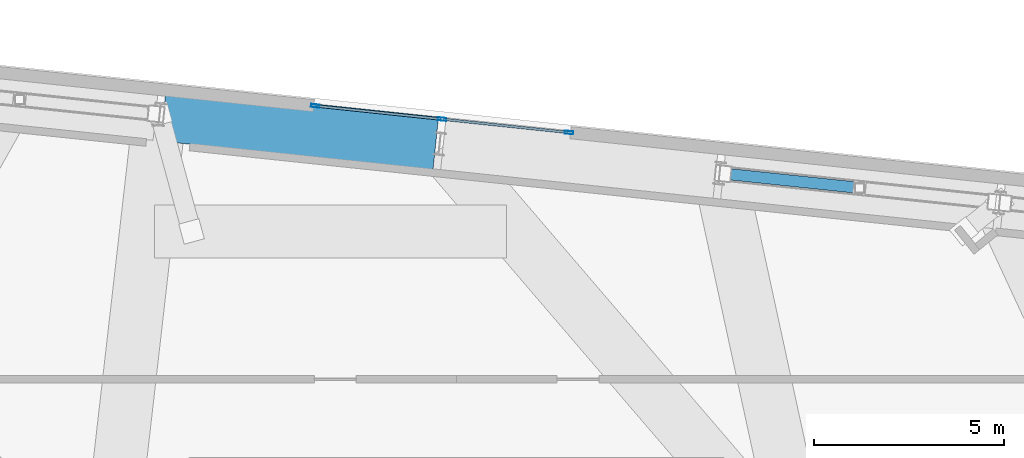
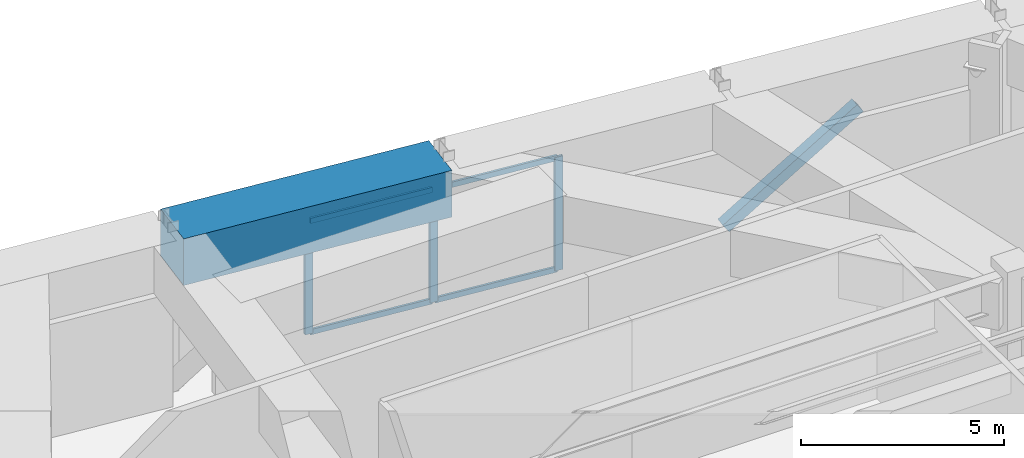
# One storey, part 12 of 21: 8 members, 1 beam, 1 element without a shape of its own.
"""IFC4 building model written with IfcOpenShell, lengths in metres."""

import ifcopenshell
import ifcopenshell.guid

model = None  # the IFC model being written
_history = None  # IfcOwnerHistory: only IFC2X3 demands one
_inside = {}  # id of a spatial element -> (the spatial element, [elements in it])
_under = {}  # id of a project, library or spatial element -> (it, [spatial elements below it])
_declared = {}  # id of a project -> (the project, [libraries it declares])
_typed = {}  # id of a type object -> (the type object, [elements of that type])
_made_of = {}  # id of a material, layer set ... -> (it, [elements and type objects made of it])


def new_model(schema):
    """Start an empty IFC model of exactly this schema.

    Asked for "IFC4X3", IfcOpenShell would pick the latest addendum, in which some entities
    have other attributes; the version numbers below select the first issue.
    IFC2X3 requires an IfcOwnerHistory on every rooted entity: one is made here for all.
    """
    global model, _history
    if schema == "IFC4X3":
        model = ifcopenshell.file(schema_version=(4, 3, 0, 0))
    else:
        model = ifcopenshell.file(schema=schema)
    _inside.clear()
    _under.clear()
    _declared.clear()
    _typed.clear()
    _made_of.clear()
    _history = None
    if model.schema == "IFC2X3":
        org = make("IfcOrganization", Name="unknown")
        user = make(
            "IfcPersonAndOrganization",
            ThePerson=make("IfcPerson", FamilyName="unknown"),
            TheOrganization=org,
        )
        app = make(
            "IfcApplication",
            ApplicationDeveloper=org,
            Version="unknown",
            ApplicationFullName="unknown",
            ApplicationIdentifier="unknown",
        )
        _history = make(
            "IfcOwnerHistory",
            OwningUser=user,
            OwningApplication=app,
            ChangeAction="ADDED",
            CreationDate=0,
        )
    return model


def make(cls, **values):
    """One entity of the class cls with the attributes given. An attribute that is None is left unset."""
    return model.create_entity(
        cls, **{name: value for name, value in values.items() if value is not None}
    )


def rooted(cls, **values):
    """An entity with a GlobalId (a new one), such as an element, a storey or a relation."""
    return make(cls, GlobalId=ifcopenshell.guid.new(), OwnerHistory=_history, **values)


def si_unit(unit_type, name, prefix=None):
    """IfcSIUnit, for example si_unit("LENGTHUNIT", "METRE", prefix="MILLI")."""
    return make("IfcSIUnit", UnitType=unit_type, Prefix=prefix, Name=name)


def assignment(units):
    """IfcUnitAssignment: the units of a project."""
    return None if units is None else make("IfcUnitAssignment", Units=units)


def point(xyz):
    """IfcCartesianPoint."""
    return None if xyz is None else make("IfcCartesianPoint", Coordinates=xyz)


def direction(xyz):
    """IfcDirection."""
    return None if xyz is None else make("IfcDirection", DirectionRatios=xyz)


def frame(location, z_axis=None, x_axis=None):
    """IfcAxis2Placement3D, a coordinate frame: its origin and axes. An axis left out is left unset."""
    return make(
        "IfcAxis2Placement3D",
        Location=point(location),
        Axis=direction(z_axis),
        RefDirection=direction(x_axis),
    )


def frame_2d(location, x_axis=None):
    """IfcAxis2Placement2D, a coordinate frame in the plane: its origin and x axis."""
    return make(
        "IfcAxis2Placement2D", Location=point(location), RefDirection=direction(x_axis)
    )


def origin():
    """The frame at (0, 0, 0) with its axes left unset."""
    return frame((0.0, 0.0, 0.0))


def origin_2d():
    """The frame at (0, 0) in the plane with its x axis left unset."""
    return frame_2d((0.0, 0.0))


def place(relative_to, where):
    """IfcLocalPlacement: puts the frame where relative to a parent placement (None: the world)."""
    return make(
        "IfcLocalPlacement", PlacementRelTo=relative_to, RelativePlacement=where
    )


def context(
    kind, dimensions, precision=None, world=None, true_north=None, identifier=None
):
    """IfcGeometricRepresentationContext, for example the 3D "Model" context."""
    return make(
        "IfcGeometricRepresentationContext",
        ContextIdentifier=identifier,
        ContextType=kind,
        CoordinateSpaceDimension=dimensions,
        Precision=precision,
        WorldCoordinateSystem=world,
        TrueNorth=true_north,
    )


def subcontext(parent, identifier, kind, view, scale=None):
    """IfcGeometricRepresentationSubContext, for example "Body" below "Model"."""
    return make(
        "IfcGeometricRepresentationSubContext",
        ContextIdentifier=identifier,
        ContextType=kind,
        ParentContext=parent,
        TargetScale=scale,
        TargetView=view,
    )


def project(units=None, contexts=None):
    """IfcProject with its units and contexts."""
    return rooted(
        "IfcProject",
        Name="project",
        RepresentationContexts=contexts,
        UnitsInContext=assignment(units),
    )


def spatial(cls, under=None, at=None, **own):
    """A site, building, storey or space (cls), placed at a placement, below another one or the project."""
    s = rooted(cls, ObjectPlacement=at, **own)
    if under is not None:
        _under.setdefault(under.id(), (under, []))[1].append(s)
    return s


def profile(cls, at=None, kind="AREA", **sizes):
    """A parametric profile (cls). Its sizes go by their IFC names, for example OverallWidth=200.0."""
    return make(cls, ProfileType=kind, Position=at, **sizes)


def rectangle(**sizes):
    """IfcRectangleProfileDef."""
    return profile("IfcRectangleProfileDef", **sizes)


def hollow_rectangle(**sizes):
    """IfcRectangleHollowProfileDef."""
    return profile("IfcRectangleHollowProfileDef", **sizes)


def extrude(swept, where, along, depth):
    """IfcExtrudedAreaSolid: the profile swept, set in the frame where, extruded along a direction by depth."""
    return make(
        "IfcExtrudedAreaSolid",
        SweptArea=swept,
        Position=where,
        ExtrudedDirection=direction(along),
        Depth=depth,
    )


def shape(context_of_items, identifier, shape_type, items):
    """IfcShapeRepresentation: the items that make up one representation, for example the "Body"."""
    return make(
        "IfcShapeRepresentation",
        ContextOfItems=context_of_items,
        RepresentationIdentifier=identifier,
        RepresentationType=shape_type,
        Items=items,
    )


def material(Name=None, Category=None):
    """IfcMaterial."""
    return make("IfcMaterial", Name=Name, Category=Category)


def layer(
    of_material, thickness, ventilated=None, Name=None, Category=None, Priority=None
):
    """IfcMaterialLayer: one layer of a wall or slab, of a material (None: an air gap)."""
    return make(
        "IfcMaterialLayer",
        Material=of_material,
        LayerThickness=thickness,
        IsVentilated=ventilated,
        Name=Name,
        Category=Category,
        Priority=Priority,
    )


def layer_set(layers, Name=None):
    """IfcMaterialLayerSet."""
    return make("IfcMaterialLayerSet", MaterialLayers=layers, LayerSetName=Name)


def material_profile(
    of_material, cross_section, Name=None, Category=None, Priority=None
):
    """IfcMaterialProfile: a cross section and its material."""
    return make(
        "IfcMaterialProfile",
        Name=Name,
        Material=of_material,
        Profile=cross_section,
        Priority=Priority,
        Category=Category,
    )


def profile_set(profiles, Name=None, composite=None):
    """IfcMaterialProfileSet."""
    return make(
        "IfcMaterialProfileSet",
        Name=Name,
        MaterialProfiles=profiles,
        CompositeProfile=composite,
    )


def made_of(thing, what):
    """Note that an element or type object is made of a material, layer set ...; save() writes the relation."""
    if what is not None:
        _made_of.setdefault(what.id(), (what, []))[1].append(thing)
    return thing


def type_object(cls, material=None, **own):
    """A type object (cls), such as IfcWallType, which elements share."""
    return made_of(rooted(cls, **own), material)


def element(
    cls,
    number,
    at=None,
    inside=None,
    cuts=None,
    type_object=None,
    material=None,
    context=None,
    identifier="Body",
    shape_type=None,
    held_by="IfcProductDefinitionShape",
    body=None,
    shapes=None,
    **own,
):
    """One element of the class cls, such as IfcWall. Its Tag is "e" and its number.

    at: its placement. inside: the storey or other place that contains it. cuts: it is an
    opening in that element (IfcRelVoidsElement). A single representation is given by context,
    identifier, shape_type and body (its items); several are given by shapes. held_by: the class
    of the entity that holds the representations. save() writes the other relations.
    """
    e = rooted(cls, Tag="e%d" % number, ObjectPlacement=at, **own)
    if body is not None:
        shapes = [shape(context, identifier, shape_type, body)]
    if shapes is not None:
        e.Representation = make(held_by, Representations=shapes)
    if inside is not None:
        _inside.setdefault(inside.id(), (inside, []))[1].append(e)
    if cuts is not None:
        rooted(
            "IfcRelVoidsElement", RelatingBuildingElement=cuts, RelatedOpeningElement=e
        )
    if type_object is not None:
        _typed.setdefault(type_object.id(), (type_object, []))[1].append(e)
    return made_of(e, material)


def aggregate(whole, parts):
    """IfcRelAggregates: a whole, such as a stair, and the parts it consists of."""
    return rooted("IfcRelAggregates", RelatingObject=whole, RelatedObjects=parts)


def save(model, path):
    """Write the relations noted so far, then the file.

    IfcRelAggregates (storeys below a building ...), IfcRelContainedInSpatialStructure (elements
    in a storey), IfcRelDefinesByType, IfcRelAssociatesMaterial and IfcRelDeclares: one each for
    every whole, place, type object, material and project.
    """
    for whole, parts in _under.values():
        aggregate(whole, parts)
    for where, things in _inside.values():
        rooted(
            "IfcRelContainedInSpatialStructure",
            RelatedElements=things,
            RelatingStructure=where,
        )
    for kind, things in _typed.values():
        rooted("IfcRelDefinesByType", RelatedObjects=things, RelatingType=kind)
    for what, things in _made_of.values():
        rooted("IfcRelAssociatesMaterial", RelatedObjects=things, RelatingMaterial=what)
    for by, libraries in _declared.values():
        rooted("IfcRelDeclares", RelatingContext=by, RelatedDefinitions=libraries)
    model.write(path)


model = new_model("IFC4")

# Units and contexts
model_context = context("Model", 3, precision=1e-05, world=origin(), true_north=direction((0.0, 1.0)))
body_context = subcontext(model_context, "Body", "Model", "MODEL_VIEW")
ifc_project = project(units=[si_unit("LENGTHUNIT", "METRE"), si_unit("AREAUNIT", "SQUARE_METRE"), si_unit("VOLUMEUNIT", "CUBIC_METRE"), si_unit("PLANEANGLEUNIT", "RADIAN"), si_unit("MASSUNIT", "GRAM", prefix="KILO")], contexts=[model_context])

# Site, building, storey
site_placement = place(None, origin())
site = spatial("IfcSite", under=ifc_project, at=site_placement, CompositionType="ELEMENT")
building_placement = place(site_placement, origin())
building = spatial("IfcBuilding", under=site, at=building_placement, Name="Qobustan Lattice House", CompositionType="ELEMENT")
storey_placement = place(building_placement, frame((0.0, 0.0, 223.199951171875)))
storey = spatial("IfcBuildingStorey", under=building, at=storey_placement, Name="L63", CompositionType="ELEMENT", Elevation=223.199951171875)

# Beam
ifc_material_1 = material(Name="Concrete C60/75", Category="concrete")
ifc_material_profile_1 = material_profile(ifc_material_1, rectangle(XDim=1.39990234375, YDim=1.39990234375, at=origin_2d()), Name="RC1400x1400")
ifc_profile_set_1 = profile_set([ifc_material_profile_1], Name="Concrete C60/75")
beam_type = type_object("IfcBeamType", Name="BM-TRG-RC1400", PredefinedType="USERDEFINED", material=ifc_profile_set_1)
beam_placement = place(storey_placement, frame((-0.548583984375, 16.86865234375, 4.1201171875), z_axis=(-0.994521013309, 0.10453685516, 0.0), x_axis=(-0.10453685516, -0.994521013309, 0.0)))
element("IfcBeam", 1, at=beam_placement, inside=storey, type_object=beam_type, Name="L63 TT4 lower perimeter transfer girder N4-N5", ObjectType="GIRDER", PredefinedType="USERDEFINED", context=body_context, shape_type="SweptSolid", body=[
    extrude(rectangle(XDim=1.39990234375, YDim=1.39990234375, at=origin_2d()), origin(), (0.0, 0.0, 1.0), 7.216552734375),
])

# Curtain wall, members
ifc_material_2 = material(Name="Anodised aluminium and low-E glazing", Category="aluminium")
ifc_layer = layer(ifc_material_2, 0.219970703125)
ifc_layer_set = layer_set([ifc_layer], Name="Anodised aluminium and low-E glazing")
curtain_wall_type = type_object("IfcCurtainWallType", Name="CW-TRN-01", PredefinedType="USERDEFINED", material=ifc_layer_set)
curtain_wall_placement = place(storey_placement, origin())
curtain_wall = element("IfcCurtainWall", 2, at=curtain_wall_placement, inside=storey, type_object=curtain_wall_type, Name="L63 N transfer sky-lobby curtain wall", ObjectType="CURTAIN WALL", PredefinedType="USERDEFINED")
ifc_material_3 = material(Name="Anodised aluminium EN AW-6063 T6", Category="aluminium")
ifc_material_profile_2 = material_profile(ifc_material_3, hollow_rectangle(XDim=0.080078125, YDim=0.219970703125, WallThickness=0.0048828125, at=origin_2d()), Name="CWM-220x80")
ifc_profile_set_2 = profile_set([ifc_material_profile_2], Name="Anodised aluminium EN AW-6063 T6")
member_type_1 = type_object("IfcMemberType", Name="CWM-MAIN-220", PredefinedType="MULLION", material=ifc_profile_set_2)
member_1_placement = place(storey_placement, frame((-3.722900390625, 17.85595703125, 0.0), z_axis=(0.0, 0.0, 1.0), x_axis=(0.104528620025, 0.994521878892, 0.0)))
member_1 = element("IfcMember", 3, at=member_1_placement, type_object=member_type_1, Name="CW-TR mullion 1", PredefinedType="MULLION", context=body_context, shape_type="SweptSolid", body=[
    extrude(hollow_rectangle(XDim=0.080078125, YDim=0.219970703125, WallThickness=0.0048828125, at=origin_2d()), origin(), (0.0, 0.0, 1.0), 3.405029296875),
])
member_2_placement = place(storey_placement, frame((-0.381103515625, 17.504638671875, 0.0), z_axis=(0.0, 0.0, 1.0), x_axis=(0.104528620025, 0.994521878892, 0.0)))
member_2 = element("IfcMember", 4, at=member_2_placement, type_object=member_type_1, Name="CW-TR mullion 2", PredefinedType="MULLION", context=body_context, shape_type="SweptSolid", body=[
    extrude(hollow_rectangle(XDim=0.080078125, YDim=0.219970703125, WallThickness=0.0048828125, at=origin_2d()), origin(), (0.0, 0.0, 1.0), 3.405029296875),
])
member_3_placement = place(storey_placement, frame((2.96044921875, 17.153564453125, 0.0), z_axis=(0.0, 0.0, 1.0), x_axis=(0.104528620025, 0.994521878892, 0.0)))
member_3 = element("IfcMember", 5, at=member_3_placement, type_object=member_type_1, Name="CW-TR mullion 3", PredefinedType="MULLION", context=body_context, shape_type="SweptSolid", body=[
    extrude(hollow_rectangle(XDim=0.080078125, YDim=0.219970703125, WallThickness=0.0048828125, at=origin_2d()), origin(), (0.0, 0.0, 1.0), 3.405029296875),
])
ifc_material_4 = material(Name="Anodised aluminium EN AW-6063 T6", Category="aluminium")
ifc_material_profile_3 = material_profile(ifc_material_4, hollow_rectangle(XDim=0.06494140625, YDim=0.159912109375, WallThickness=0.00390625, at=origin_2d()), Name="CWT-160x65")
ifc_profile_set_3 = profile_set([ifc_material_profile_3], Name="Anodised aluminium EN AW-6063 T6")
member_type_2 = type_object("IfcMemberType", Name="CWT-HOR-160", PredefinedType="USERDEFINED", material=ifc_profile_set_3)
member_4_placement = place(storey_placement, frame((-3.68310546875, 17.851806640625, 0.032470703125), z_axis=(0.994517273613, -0.104572426989, 0.0), x_axis=(0.104572426989, 0.994517273613, 0.0)))
member_4 = element("IfcMember", 6, at=member_4_placement, type_object=member_type_2, Name="CW-TR transom 1.1", ObjectType="TRANSOM", PredefinedType="USERDEFINED", context=body_context, shape_type="SweptSolid", body=[
    extrude(hollow_rectangle(XDim=0.06494140625, YDim=0.159912109375, WallThickness=0.00390625, at=origin_2d()), origin(), (0.0, 0.0, 1.0), 3.2802734375),
])
member_5_placement = place(storey_placement, frame((-3.68310546875, 17.851806640625, 3.37255859375), z_axis=(0.994517273613, -0.104572426989, 0.0), x_axis=(0.104572426989, 0.994517273613, 0.0)))
member_5 = element("IfcMember", 7, at=member_5_placement, type_object=member_type_2, Name="CW-TR transom 1.2", ObjectType="TRANSOM", PredefinedType="USERDEFINED", context=body_context, shape_type="SweptSolid", body=[
    extrude(hollow_rectangle(XDim=0.06494140625, YDim=0.159912109375, WallThickness=0.00390625, at=origin_2d()), origin(), (0.0, 0.0, 1.0), 3.2802734375),
])
member_6_placement = place(storey_placement, frame((-0.34130859375, 17.50048828125, 0.032470703125), z_axis=(0.994524198614, -0.104506547029, 0.0), x_axis=(0.104506547029, 0.994524198614, 0.0)))
member_6 = element("IfcMember", 8, at=member_6_placement, type_object=member_type_2, Name="CW-TR transom 2.1", ObjectType="TRANSOM", PredefinedType="USERDEFINED", context=body_context, shape_type="SweptSolid", body=[
    extrude(hollow_rectangle(XDim=0.06494140625, YDim=0.159912109375, WallThickness=0.00390625, at=origin_2d()), origin(), (0.0, 0.0, 1.0), 3.280029296875),
])
member_7_placement = place(storey_placement, frame((-0.34130859375, 17.50048828125, 3.37255859375), z_axis=(0.994524198614, -0.104506547029, 0.0), x_axis=(0.104506547029, 0.994524198614, 0.0)))
member_7 = element("IfcMember", 9, at=member_7_placement, type_object=member_type_2, Name="CW-TR transom 2.2", ObjectType="TRANSOM", PredefinedType="USERDEFINED", context=body_context, shape_type="SweptSolid", body=[
    extrude(hollow_rectangle(XDim=0.06494140625, YDim=0.159912109375, WallThickness=0.00390625, at=origin_2d()), origin(), (0.0, 0.0, 1.0), 3.280029296875),
])
aggregate(curtain_wall, [member_1, member_2, member_3, member_4, member_5, member_6, member_7])

# Member
ifc_material_5 = material(Name="Steel S355", Category="steel")
ifc_material_profile_4 = material_profile(ifc_material_5, hollow_rectangle(XDim=0.300048828125, YDim=0.300048828125, WallThickness=0.01611328125, at=origin_2d()), Name="SHS300x300x16")
ifc_profile_set_4 = profile_set([ifc_material_profile_4], Name="Steel S355")
member_type_3 = type_object("IfcMemberType", Name="MEM-BRC-SHS300", PredefinedType="BRACE", material=ifc_profile_set_4)
member_8_placement = place(storey_placement, frame((10.614990234375, 15.6953125, 3.14013671875), z_axis=(-0.807931930746, 0.084921071706, -0.583124692379), x_axis=(-0.104533338099, -0.994521382991, 0.0)))
element("IfcMember", 10, at=member_8_placement, inside=storey, type_object=member_type_3, Name="L63 TT4 belt truss web diagonal N2-N3 B", PredefinedType="BRACE", context=body_context, shape_type="SweptSolid", body=[
    extrude(hollow_rectangle(XDim=0.300048828125, YDim=0.300048828125, WallThickness=0.01611328125, at=origin_2d()), origin(), (0.0, 0.0, 1.0), 4.441650390625),
])

save(model, "model.ifc")
